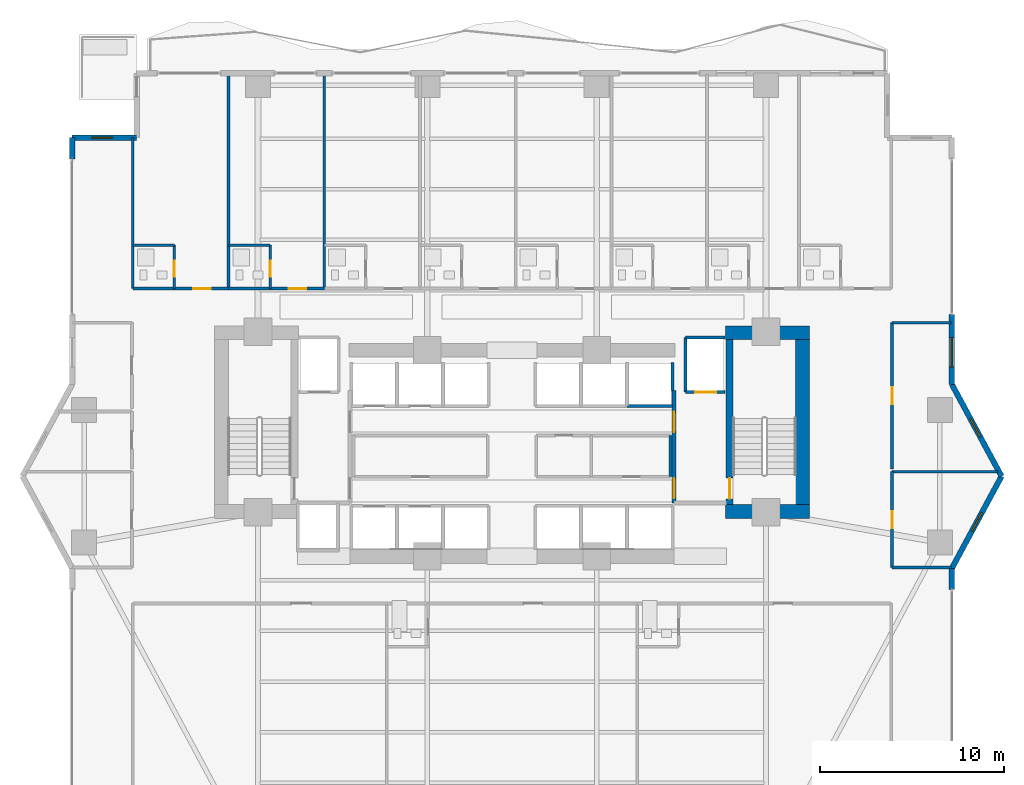
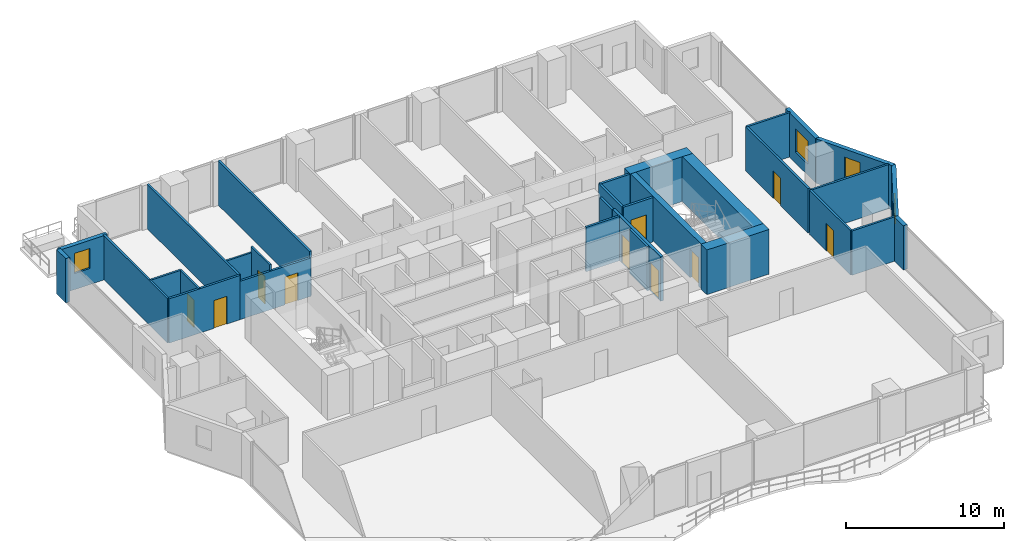
# One storey, part 23 of 29: 31 walls, 10 doors, 4 windows, 14 openings.
"""IFC4 building model written with IfcOpenShell, lengths in metres."""

from ifc_helpers import new_model, si_unit, direction, frame, frame_2d, origin, place, context, subcontext, project, spatial, rectangle, extrude, material, layer, layer_set, type_object, element, fill, save


model = new_model("IFC4")

# Units and contexts
model_context = context("Model", 3, precision=1e-05, world=origin(), true_north=direction((0.0, 1.0)))
body_context = subcontext(model_context, "Body", "Model", "MODEL_VIEW")
ifc_project = project(units=[si_unit("LENGTHUNIT", "METRE"), si_unit("AREAUNIT", "SQUARE_METRE"), si_unit("VOLUMEUNIT", "CUBIC_METRE"), si_unit("PLANEANGLEUNIT", "RADIAN"), si_unit("MASSUNIT", "GRAM", prefix="KILO")], contexts=[model_context])

# Site, building, storey
site_placement = place(None, origin())
site = spatial("IfcSite", under=ifc_project, at=site_placement, CompositionType="ELEMENT")
building_placement = place(site_placement, origin())
building = spatial("IfcBuilding", under=site, at=building_placement, Name="Zuhayl Quay Hotel", CompositionType="ELEMENT")
storey_placement = place(building_placement, frame((0.0, 0.0, 106.60009765625)))
storey = spatial("IfcBuildingStorey", under=building, at=storey_placement, Name="L26", CompositionType="ELEMENT", Elevation=106.60009765625)

# Walls
ifc_material_1 = material(Name="Concrete C60/75", Category="concrete")
ifc_layer_1 = layer(ifc_material_1, 0.75, Name="Concrete C60/75", Category="concrete")
ifc_layer_set_1 = layer_set([ifc_layer_1], Name="Concrete C60/75")
wall_type_1 = type_object("IfcWallType", Name="WL_CORE_750", PredefinedType="SHEAR", material=ifc_layer_set_1)
wall_1_placement = place(storey_placement, frame((11.60009765625, 14.304931640625, 0.0), z_axis=(0.0, 0.0, 1.0), x_axis=(1.0, 0.0, 0.0)))
element("IfcWall", 1, at=wall_1_placement, inside=storey, type_object=wall_type_1, Name="L26 Core Shear Wall CW_NE", PredefinedType="SHEAR", context=body_context, shape_type="SweptSolid", body=[
    extrude(rectangle(XDim=4.559814453125, YDim=0.75, at=frame_2d((2.27978515625, 0.0))), origin(), (0.0, 0.0, 1.0), 3.4599609375),
])
wall_2_placement = place(storey_placement, frame((15.784912109375, 4.969970703125, 0.0), z_axis=(0.0, 0.0, 1.0), x_axis=(0.0, 1.0, 0.0)))
element("IfcWall", 2, at=wall_2_placement, inside=storey, type_object=wall_type_1, Name="L26 Core Shear Wall CW_E", PredefinedType="SHEAR", context=body_context, shape_type="SweptSolid", body=[
    extrude(rectangle(XDim=8.9599609375, YDim=0.75, at=frame_2d((4.47998046875, 0.0))), origin(), (0.0, 0.0, 1.0), 3.4599609375),
])
wall_3_placement = place(storey_placement, frame((11.60009765625, 4.594970703125, 0.0), z_axis=(0.0, 0.0, 1.0), x_axis=(1.0, 0.0, 0.0)))
element("IfcWall", 3, at=wall_3_placement, inside=storey, type_object=wall_type_1, Name="L26 Core Shear Wall CW_SE", PredefinedType="SHEAR", context=body_context, shape_type="SweptSolid", body=[
    extrude(rectangle(XDim=4.559814453125, YDim=0.75, at=frame_2d((2.27978515625, 0.0))), origin(), (0.0, 0.0, 1.0), 3.4599609375),
])
ifc_material_2 = material(Name="Precast concrete C45/55", Category="concrete")
ifc_layer_2 = layer(ifc_material_2, 0.300048828125, Name="Precast concrete C45/55", Category="concrete")
ifc_layer_set_2 = layer_set([ifc_layer_2], Name="Precast concrete C45/55")
wall_type_2 = type_object("IfcWallType", Name="WL_EXT_300", PredefinedType="STANDARD", material=ifc_layer_set_2)
wall_4_placement = place(storey_placement, frame((-23.89990234375, 23.75, 0.0), z_axis=(0.0, 0.0, 1.0), x_axis=(0.0, 1.0, 0.0)))
element("IfcWall", 4, at=wall_4_placement, inside=storey, type_object=wall_type_2, Name="L26 Exterior Precast Wall ENV_L26_E05_EW2", PredefinedType="STANDARD", context=body_context, shape_type="SweptSolid", body=[
    extrude(rectangle(XDim=1.14990234375, YDim=0.300048828125, at=frame_2d((0.574951171875, 0.0))), origin(), (0.0, 0.0, 1.0), 3.429931640625),
])

# Wall, opening, window
wall_5_placement = place(storey_placement, frame((-23.89990234375, 24.89990234375, 0.0), z_axis=(0.0, 0.0, 1.0), x_axis=(1.0, 0.0, 0.0)))
wall_5 = element("IfcWall", 5, at=wall_5_placement, inside=storey, type_object=wall_type_2, Name="L26 Exterior Precast Wall ENV_L26_EW06", PredefinedType="STANDARD", context=body_context, shape_type="SweptSolid", body=[
    extrude(rectangle(XDim=3.5, YDim=0.300048828125, at=frame_2d((1.75, 0.0))), origin(), (0.0, 0.0, 1.0), 3.429931640625),
])
opening_1_placement = place(wall_5_placement, frame((1.06494140625, 0.0, 1.25)))
opening_1 = element("IfcOpeningElement", 6, at=opening_1_placement, cuts=wall_5, Name="Opening W01N", PredefinedType="OPENING", context=body_context, shape_type="SweptSolid", body=[
    extrude(rectangle(XDim=1.14990234375, YDim=1.550048828125, at=frame_2d((0.574951171875, 0.77490234375))), frame((0.0, 0.159912109375, 0.0), z_axis=(0.0, -1.0, 0.0), x_axis=(1.0, 0.0, 0.0)), (0.0, 0.0, 1.0), 0.320068359375),
])
ifc_material_3 = material(Name="Dark Ceramic-Fritted Solar Glass", Category="glass")
window_type_1 = type_object("IfcWindowType", Name="WN_NOTCH_1350", PartitioningType="SINGLE_PANEL", PredefinedType="WINDOW", material=ifc_material_3)
window_1_placement = place(opening_1_placement, origin())
window_1 = element("IfcWindow", 7, at=window_1_placement, inside=storey, type_object=window_type_1, Name="L26 Corner Notch Window 6", OverallHeight=1.550048828125, OverallWidth=1.14990234375, PartitioningType="SINGLE_PANEL", PredefinedType="WINDOW", context=body_context, shape_type="SweptSolid", body=[
    extrude(rectangle(XDim=1.14990234375, YDim=1.550048828125, at=frame_2d((0.574951171875, 0.77490234375))), frame((0.0, 0.030029296875, 0.0), z_axis=(0.0, -1.0, 0.0), x_axis=(1.0, 0.0, 0.0)), (0.0, 0.0, 1.0), 0.06005859375),
])
fill(opening_1, window_1)

wall_6_placement = place(storey_placement, frame((23.89990234375, 15.300048828125, 0.0), z_axis=(0.0, 0.0, 1.0), x_axis=(0.0, -1.0, 0.0)))
wall_6 = element("IfcWall", 8, at=wall_6_placement, inside=storey, type_object=wall_type_2, Name="L26 Exterior Precast Wall ENV_L26_E11_EW2", PredefinedType="STANDARD", context=body_context, shape_type="SweptSolid", body=[
    extrude(rectangle(XDim=3.800048828125, YDim=0.300048828125, at=frame_2d((1.89990234375, 0.0))), origin(), (0.0, 0.0, 1.0), 3.429931640625),
])
opening_2_placement = place(wall_6_placement, frame((1.264892578125, 0.0, 0.85009765625)))
opening_2 = element("IfcOpeningElement", 9, at=opening_2_placement, cuts=wall_6, Name="Opening W01", PredefinedType="OPENING", context=body_context, shape_type="SweptSolid", body=[
    extrude(rectangle(XDim=1.60009765625, YDim=1.800048828125, at=frame_2d((0.800048828125, 0.89990234375))), frame((0.0, 0.159912109375, 0.0), z_axis=(0.0, -1.0, 0.0), x_axis=(1.0, 0.0, 0.0)), (0.0, 0.0, 1.0), 0.320068359375),
])
window_type_2 = type_object("IfcWindowType", Name="WN_OPERABLE_1600", PartitioningType="DOUBLE_PANEL_VERTICAL", PredefinedType="WINDOW", material=ifc_material_3)
window_2_placement = place(opening_2_placement, origin())
window_2 = element("IfcWindow", 10, at=window_2_placement, inside=storey, type_object=window_type_2, Name="L26 Operable Facade Window 2-1", OverallHeight=1.800048828125, OverallWidth=1.60009765625, PartitioningType="SINGLE_PANEL", PredefinedType="WINDOW", context=body_context, shape_type="SweptSolid", body=[
    extrude(rectangle(XDim=1.60009765625, YDim=1.800048828125, at=frame_2d((0.800048828125, 0.89990234375))), frame((0.0, 0.030029296875, 0.0), z_axis=(0.0, -1.0, 0.0), x_axis=(1.0, 0.0, 0.0)), (0.0, 0.0, 1.0), 0.06005859375),
])
fill(opening_2, window_2)

wall_7_placement = place(storey_placement, frame((23.89990234375, 11.5, 0.0), z_axis=(0.0, 0.0, 1.0), x_axis=(0.475175525499, -0.879891027325, 0.0)))
wall_7 = element("IfcWall", 11, at=wall_7_placement, inside=storey, type_object=wall_type_2, Name="L26 Exterior Precast Wall ENV_L26_EW12", PredefinedType="STANDARD", context=body_context, shape_type="SweptSolid", body=[
    extrude(rectangle(XDim=5.6826171875, YDim=0.300048828125, at=frame_2d((2.84130859375, 0.0))), origin(), (0.0, 0.0, 1.0), 3.429931640625),
])
opening_3_placement = place(wall_7_placement, frame((2.099853515625, 0.0, 1.25)))
opening_3 = element("IfcOpeningElement", 12, at=opening_3_placement, cuts=wall_7, Name="Opening W01N", PredefinedType="OPENING", context=body_context, shape_type="SweptSolid", body=[
    extrude(rectangle(XDim=1.14990234375, YDim=1.550048828125, at=frame_2d((0.574951171875, 0.77490234375))), frame((0.0, 0.159912109375, 0.0), z_axis=(0.0, -1.0, 0.0), x_axis=(1.0, 0.0, 0.0)), (0.0, 0.0, 1.0), 0.320068359375),
])
window_3_placement = place(opening_3_placement, origin())
window_3 = element("IfcWindow", 13, at=window_3_placement, inside=storey, type_object=window_type_1, Name="L26 Corner Notch Window 12", OverallHeight=1.550048828125, OverallWidth=1.14990234375, PartitioningType="SINGLE_PANEL", PredefinedType="WINDOW", context=body_context, shape_type="SweptSolid", body=[
    extrude(rectangle(XDim=1.14990234375, YDim=1.550048828125, at=frame_2d((0.574951171875, 0.77490234375))), frame((0.0, 0.030029296875, 0.0), z_axis=(0.0, -1.0, 0.0), x_axis=(1.0, 0.0, 0.0)), (0.0, 0.0, 1.0), 0.06005859375),
])
fill(opening_3, window_3)

wall_8_placement = place(storey_placement, frame((26.60009765625, 6.5, 0.0), z_axis=(0.0, 0.0, 1.0), x_axis=(-0.475175525499, -0.879891027325, 0.0)))
wall_8 = element("IfcWall", 14, at=wall_8_placement, inside=storey, type_object=wall_type_2, Name="L26 Exterior Precast Wall ENV_L26_EW13", PredefinedType="STANDARD", context=body_context, shape_type="SweptSolid", body=[
    extrude(rectangle(XDim=5.6826171875, YDim=0.300048828125, at=frame_2d((2.84130859375, 0.0))), origin(), (0.0, 0.0, 1.0), 3.429931640625),
])
opening_4_placement = place(wall_8_placement, frame((2.2421875, 0.0, 1.25)))
opening_4 = element("IfcOpeningElement", 15, at=opening_4_placement, cuts=wall_8, Name="Opening W01N", PredefinedType="OPENING", context=body_context, shape_type="SweptSolid", body=[
    extrude(rectangle(XDim=1.14990234375, YDim=1.550048828125, at=frame_2d((0.574951171875, 0.77490234375))), frame((0.0, 0.159912109375, 0.0), z_axis=(0.0, -1.0, 0.0), x_axis=(1.0, 0.0, 0.0)), (0.0, 0.0, 1.0), 0.320068359375),
])
window_4_placement = place(opening_4_placement, origin())
window_4 = element("IfcWindow", 16, at=window_4_placement, inside=storey, type_object=window_type_1, Name="L26 Corner Notch Window 13", OverallHeight=1.550048828125, OverallWidth=1.14990234375, PartitioningType="SINGLE_PANEL", PredefinedType="WINDOW", context=body_context, shape_type="SweptSolid", body=[
    extrude(rectangle(XDim=1.14990234375, YDim=1.550048828125, at=frame_2d((0.574951171875, 0.77490234375))), frame((0.0, 0.030029296875, 0.0), z_axis=(0.0, -1.0, 0.0), x_axis=(1.0, 0.0, 0.0)), (0.0, 0.0, 1.0), 0.06005859375),
])
fill(opening_4, window_4)

# Walls
wall_9_placement = place(storey_placement, frame((23.89990234375, 1.5, 0.0), z_axis=(0.0, 0.0, 1.0), x_axis=(0.0, -1.0, 0.0)))
element("IfcWall", 17, at=wall_9_placement, inside=storey, type_object=wall_type_2, Name="L26 Exterior Precast Wall ENV_L26_E14_EW1", PredefinedType="STANDARD", context=body_context, shape_type="SweptSolid", body=[
    extrude(rectangle(XDim=1.14990234375, YDim=0.300048828125, at=frame_2d((0.574951171875, 0.0))), origin(), (0.0, 0.0, 1.0), 3.429931640625),
])
ifc_material_4 = material(Name="Acoustic Gypsum Partition STC-58")
ifc_layer_3 = layer(ifc_material_4, 0.14990234375, Name="Acoustic Gypsum Partition STC-58")
ifc_layer_set_3 = layer_set([ifc_layer_3], Name="Acoustic Gypsum Partition STC-58")
wall_type_3 = type_object("IfcWallType", Name="WL_PART_150", PredefinedType="PARTITIONING", material=ifc_layer_set_3)
wall_10_placement = place(storey_placement, frame((8.610107421875, 6.47998046875, 0.0), z_axis=(0.0, 0.0, 1.0), x_axis=(0.0, 1.0, 0.0)))
element("IfcWall", 18, at=wall_10_placement, inside=storey, type_object=wall_type_3, Name="L26 Partition IW_L26_CORE_LN_E", PredefinedType="PARTITIONING", context=body_context, shape_type="SweptSolid", body=[
    extrude(rectangle(XDim=2.239990234375, YDim=0.14990234375, at=frame_2d((1.1201171875, 0.0))), origin(), (0.0, 0.0, 1.0), 3.429931640625),
])
wall_11_placement = place(storey_placement, frame((-20.60009765625, 16.699951171875, 0.0), z_axis=(0.0, 0.0, 1.0), x_axis=(0.0, 1.0, 0.0)))
element("IfcWall", 19, at=wall_11_placement, inside=storey, type_object=wall_type_3, Name="L26 Partition IW_L26_NU01_W", PredefinedType="PARTITIONING", context=body_context, shape_type="SweptSolid", body=[
    extrude(rectangle(XDim=8.199951171875, YDim=0.14990234375, at=frame_2d((4.10009765625, 0.0))), origin(), (0.0, 0.0, 1.0), 3.429931640625),
])
for number, where, z_axis, x_axis, name in (
    (20, (-15.39990234375, 16.699951171875, 0.0), (0.0, 0.0, 1.0), (0.0, 1.0, 0.0), "L26 Partition IW_L26_NU01_E"),
    (21, (-10.199951171875, 16.699951171875, 0.0), (0.0, 0.0, 1.0), (0.0, 1.0, 0.0), "L26 Partition IW_L26_NU02_E"),
):
    element("IfcWall", number, at=place(storey_placement, frame(where, z_axis=z_axis, x_axis=x_axis)), inside=storey, type_object=wall_type_3, Name=name, PredefinedType="PARTITIONING", context=body_context, shape_type="SweptSolid", body=[
        extrude(rectangle(XDim=11.6201171875, YDim=0.14990234375, at=frame_2d((5.81005859375, 0.0))), origin(), (0.0, 0.0, 1.0), 3.429931640625),
    ])
wall_12_placement = place(storey_placement, frame((20.64990234375, 1.550048828125, 0.0), z_axis=(0.0, 0.0, 1.0), x_axis=(1.0, 0.0, 0.0)))
element("IfcWall", 22, at=wall_12_placement, inside=storey, type_object=wall_type_3, Name="L26 Partition IW_L26_HK_MAIN_S", PredefinedType="PARTITIONING", context=body_context, shape_type="SweptSolid", body=[
    extrude(rectangle(XDim=3.217041015625, YDim=0.14990234375, at=frame_2d((1.6083984375, 0.0))), origin(), (0.0, 0.0, 1.0), 3.429931640625),
])
wall_13_placement = place(storey_placement, frame((20.64990234375, 6.75, 0.0), z_axis=(0.0, 0.0, 1.0), x_axis=(1.0, 0.0, 0.0)))
element("IfcWall", 23, at=wall_13_placement, inside=storey, type_object=wall_type_3, Name="L26 Partition IW_L26_HK_MAIN_N", PredefinedType="PARTITIONING", context=body_context, shape_type="SweptSolid", body=[
    extrude(rectangle(XDim=5.755126953125, YDim=0.14990234375, at=frame_2d((2.87744140625, 0.0))), origin(), (0.0, 0.0, 1.0), 3.429931640625),
])
wall_14_placement = place(storey_placement, frame((20.64990234375, 14.85009765625, 0.0), z_axis=(0.0, 0.0, 1.0), x_axis=(1.0, 0.0, 0.0)))
element("IfcWall", 24, at=wall_14_placement, inside=storey, type_object=wall_type_3, Name="L26 Partition IW_L26_EFLK_2_N", PredefinedType="PARTITIONING", context=body_context, shape_type="SweptSolid", body=[
    extrude(rectangle(XDim=3.190185546875, YDim=0.14990234375, at=frame_2d((1.59521484375, 0.0))), origin(), (0.0, 0.0, 1.0), 3.429931640625),
])

# Wall, opening, door
ifc_layer_4 = layer(ifc_material_4, 0.159912109375, Name="Acoustic Gypsum Partition STC-58")
ifc_layer_set_4 = layer_set([ifc_layer_4], Name="Acoustic Gypsum Partition STC-58")
wall_type_4 = type_object("IfcWallType", Name="WL_PART_CORR_160", PredefinedType="PARTITIONING", material=ifc_layer_set_4)
wall_15_placement = place(storey_placement, frame((-20.60009765625, 16.699951171875, 0.0), z_axis=(0.0, 0.0, 1.0), x_axis=(1.0, 0.0, 0.0)))
wall_15 = element("IfcWall", 25, at=wall_15_placement, inside=storey, type_object=wall_type_4, Name="L26 Partition IW_L26_NU01_COR", PredefinedType="PARTITIONING", context=body_context, shape_type="SweptSolid", body=[
    extrude(rectangle(XDim=5.2001953125, YDim=0.159912109375, at=frame_2d((2.60009765625, 0.0))), origin(), (0.0, 0.0, 1.0), 3.429931640625),
])
opening_5_placement = place(wall_15_placement, frame((3.27490234375, 0.0, 0.0)))
opening_5 = element("IfcOpeningElement", 26, at=opening_5_placement, cuts=wall_15, Name="Opening D03", PredefinedType="OPENING", context=body_context, shape_type="SweptSolid", body=[
    extrude(rectangle(XDim=0.949951171875, YDim=2.14990234375, at=frame_2d((0.47509765625, 1.074951171875))), frame((0.0, 0.08984375, 0.0), z_axis=(0.0, -1.0, 0.0), x_axis=(1.0, 0.0, 0.0)), (0.0, 0.0, 1.0), 0.179931640625),
])
ifc_material_5 = material(Name="Solid Walnut Acoustic Fire Door")
door_type_1 = type_object("IfcDoorType", Name="DR_SUITE_950", OperationType="NOTDEFINED", PredefinedType="DOOR", material=ifc_material_5)
door_1_placement = place(opening_5_placement, origin())
door_1 = element("IfcDoor", 27, at=door_1_placement, inside=storey, type_object=door_type_1, Name="L26 Deluxe Gulf Guest Room L26-01 Entrance Door", OperationType="SINGLE_SWING_LEFT", OverallHeight=2.14990234375, OverallWidth=0.949951171875, PredefinedType="DOOR", context=body_context, shape_type="SweptSolid", body=[
    extrude(rectangle(XDim=0.949951171875, YDim=2.14990234375, at=frame_2d((0.47509765625, 1.074951171875))), frame((0.0, 0.02490234375, 0.0), z_axis=(0.0, -1.0, 0.0), x_axis=(1.0, 0.0, 0.0)), (0.0, 0.0, 1.0), 0.050048828125),
])
fill(opening_5, door_1)

wall_16_placement = place(storey_placement, frame((-15.39990234375, 16.699951171875, 0.0), z_axis=(0.0, 0.0, 1.0), x_axis=(1.0, 0.0, 0.0)))
wall_16 = element("IfcWall", 28, at=wall_16_placement, inside=storey, type_object=wall_type_4, Name="L26 Partition IW_L26_NU02_COR", PredefinedType="PARTITIONING", context=body_context, shape_type="SweptSolid", body=[
    extrude(rectangle(XDim=5.199951171875, YDim=0.159912109375, at=frame_2d((2.60009765625, 0.0))), origin(), (0.0, 0.0, 1.0), 2.972900390625),
])
opening_6_placement = place(wall_16_placement, frame((3.27490234375, 0.0, 0.0)))
opening_6 = element("IfcOpeningElement", 29, at=opening_6_placement, cuts=wall_16, Name="Opening D03", PredefinedType="OPENING", context=body_context, shape_type="SweptSolid", body=[
    extrude(rectangle(XDim=0.949951171875, YDim=2.14990234375, at=frame_2d((0.47509765625, 1.074951171875))), frame((0.0, 0.08984375, 0.0), z_axis=(0.0, -1.0, 0.0), x_axis=(1.0, 0.0, 0.0)), (0.0, 0.0, 1.0), 0.179931640625),
])
door_2_placement = place(opening_6_placement, origin())
door_2 = element("IfcDoor", 30, at=door_2_placement, inside=storey, type_object=door_type_1, Name="L26 Deluxe Gulf Guest Room L26-02 Entrance Door", OperationType="SINGLE_SWING_LEFT", OverallHeight=2.14990234375, OverallWidth=0.949951171875, PredefinedType="DOOR", context=body_context, shape_type="SweptSolid", body=[
    extrude(rectangle(XDim=0.949951171875, YDim=2.14990234375, at=frame_2d((0.47509765625, 1.074951171875))), frame((0.0, 0.02490234375, 0.0), z_axis=(0.0, -1.0, 0.0), x_axis=(1.0, 0.0, 0.0)), (0.0, 0.0, 1.0), 0.050048828125),
])
fill(opening_6, door_2)

wall_17_placement = place(storey_placement, frame((20.64990234375, 1.550048828125, 0.0), z_axis=(0.0, 0.0, 1.0), x_axis=(0.0, 1.0, 0.0)))
wall_17 = element("IfcWall", 31, at=wall_17_placement, inside=storey, type_object=wall_type_4, Name="L26 Partition IW_L26_HK_MAIN_W", PredefinedType="PARTITIONING", context=body_context, shape_type="SweptSolid", body=[
    extrude(rectangle(XDim=5.199951171875, YDim=0.159912109375, at=frame_2d((2.60009765625, 0.0))), origin(), (0.0, 0.0, 1.0), 3.429931640625),
])
opening_7_placement = place(wall_17_placement, frame((2.139892578125, 0.0, 0.0)))
opening_7 = element("IfcOpeningElement", 32, at=opening_7_placement, cuts=wall_17, Name="Opening D05", PredefinedType="OPENING", context=body_context, shape_type="SweptSolid", body=[
    extrude(rectangle(XDim=0.919921875, YDim=2.1201171875, at=frame_2d((0.4599609375, 1.06005859375))), frame((0.0, 0.08984375, 0.0), z_axis=(0.0, -1.0, 0.0), x_axis=(1.0, 0.0, 0.0)), (0.0, 0.0, 1.0), 0.179931640625),
])
door_type_2 = type_object("IfcDoorType", Name="DR_INT_950", OperationType="NOTDEFINED", PredefinedType="DOOR", material=ifc_material_5)
door_3_placement = place(opening_7_placement, origin())
door_3 = element("IfcDoor", 33, at=door_3_placement, inside=storey, type_object=door_type_2, Name="L26 Housekeeping and Linen Room Door", OperationType="SINGLE_SWING_LEFT", OverallHeight=2.1201171875, OverallWidth=0.919921875, PredefinedType="DOOR", context=body_context, shape_type="SweptSolid", body=[
    extrude(rectangle(XDim=0.919921875, YDim=2.1201171875, at=frame_2d((0.4599609375, 1.06005859375))), frame((0.0, 0.02490234375, 0.0), z_axis=(0.0, -1.0, 0.0), x_axis=(1.0, 0.0, 0.0)), (0.0, 0.0, 1.0), 0.050048828125),
])
fill(opening_7, door_3)

wall_18_placement = place(storey_placement, frame((20.64990234375, 6.909912109375, 0.0), z_axis=(0.0, 0.0, 1.0), x_axis=(0.0, 1.0, 0.0)))
wall_18 = element("IfcWall", 34, at=wall_18_placement, inside=storey, type_object=wall_type_4, Name="L26 Partition IW_L26_EFLK_2_W", PredefinedType="PARTITIONING", context=body_context, shape_type="SweptSolid", body=[
    extrude(rectangle(XDim=7.940185546875, YDim=0.159912109375, at=frame_2d((3.97021484375, 0.0))), origin(), (0.0, 0.0, 1.0), 3.429931640625),
])
opening_8_placement = place(wall_18_placement, frame((3.510009765625, 0.0, 0.0)))
opening_8 = element("IfcOpeningElement", 35, at=opening_8_placement, cuts=wall_18, Name="Opening D05", PredefinedType="OPENING", context=body_context, shape_type="SweptSolid", body=[
    extrude(rectangle(XDim=0.919921875, YDim=2.1201171875, at=frame_2d((0.4599609375, 1.06005859375))), frame((0.0, 0.08984375, 0.0), z_axis=(0.0, -1.0, 0.0), x_axis=(1.0, 0.0, 0.0)), (0.0, 0.0, 1.0), 0.179931640625),
])
door_4_placement = place(opening_8_placement, origin())
door_4 = element("IfcDoor", 36, at=door_4_placement, inside=storey, type_object=door_type_2, Name="L26 East Prow Reading Lounge L26 Door", OperationType="SINGLE_SWING_RIGHT", OverallHeight=2.1201171875, OverallWidth=0.919921875, PredefinedType="DOOR", context=body_context, shape_type="SweptSolid", body=[
    extrude(rectangle(XDim=0.919921875, YDim=2.1201171875, at=frame_2d((0.4599609375, 1.06005859375))), frame((0.0, 0.02490234375, 0.0), z_axis=(0.0, -1.0, 0.0), x_axis=(1.0, 0.0, 0.0)), (0.0, 0.0, 1.0), 0.050048828125),
])
fill(opening_8, door_4)

ifc_material_6 = material(Name="Moisture-Resistant Sanitarychase Gypsum")
ifc_layer_5 = layer(ifc_material_6, 0.135009765625, Name="Moisture-Resistant Sanitarychase Gypsum")
ifc_layer_set_5 = layer_set([ifc_layer_5], Name="Moisture-Resistant Sanitarychase Gypsum")
wall_type_5 = type_object("IfcWallType", Name="WL_PART_PLUMB_150", PredefinedType="PLUMBINGWALL", material=ifc_layer_set_5)
wall_19_placement = place(storey_placement, frame((-18.340087890625, 16.699951171875, 0.0), z_axis=(0.0, 0.0, 1.0), x_axis=(0.0, 1.0, 0.0)))
wall_19 = element("IfcWall", 37, at=wall_19_placement, inside=storey, type_object=wall_type_5, Name="L26 Partition IW_L26_NU01_BE", PredefinedType="PLUMBINGWALL", context=body_context, shape_type="SweptSolid", body=[
    extrude(rectangle(XDim=2.360107421875, YDim=0.135009765625, at=frame_2d((1.18017578125, 0.0))), origin(), (0.0, 0.0, 1.0), 3.429931640625),
])
opening_9_placement = place(wall_19_placement, frame((0.64990234375, 0.0, 0.0)))
opening_9 = element("IfcOpeningElement", 38, at=opening_9_placement, cuts=wall_19, Name="Opening D04", PredefinedType="OPENING", context=body_context, shape_type="SweptSolid", body=[
    extrude(rectangle(XDim=0.85009765625, YDim=2.10009765625, at=frame_2d((0.425048828125, 1.050048828125))), frame((0.0, 0.077392578125, 0.0), z_axis=(0.0, -1.0, 0.0), x_axis=(1.0, 0.0, 0.0)), (0.0, 0.0, 1.0), 0.155029296875),
])
ifc_material_7 = material(Name="Moisture-Resistant Walnut Veneer")
door_type_3 = type_object("IfcDoorType", Name="DR_BATH_850", OperationType="NOTDEFINED", PredefinedType="DOOR", material=ifc_material_7)
door_5_placement = place(opening_9_placement, origin())
door_5 = element("IfcDoor", 39, at=door_5_placement, inside=storey, type_object=door_type_3, Name="L26 Deluxe Gulf Guest Room L26-01 En-Suite Door", OperationType="SINGLE_SWING_RIGHT", OverallHeight=2.10009765625, OverallWidth=0.85009765625, PredefinedType="DOOR", context=body_context, shape_type="SweptSolid", body=[
    extrude(rectangle(XDim=0.85009765625, YDim=2.10009765625, at=frame_2d((0.425048828125, 1.050048828125))), frame((0.0, 0.02490234375, 0.0), z_axis=(0.0, -1.0, 0.0), x_axis=(1.0, 0.0, 0.0)), (0.0, 0.0, 1.0), 0.050048828125),
])
fill(opening_9, door_5)

wall_20_placement = place(storey_placement, frame((-13.139892578125, 16.699951171875, 0.0), z_axis=(0.0, 0.0, 1.0), x_axis=(0.0, 1.0, 0.0)))
wall_20 = element("IfcWall", 40, at=wall_20_placement, inside=storey, type_object=wall_type_5, Name="L26 Partition IW_L26_NU02_BE", PredefinedType="PLUMBINGWALL", context=body_context, shape_type="SweptSolid", body=[
    extrude(rectangle(XDim=2.360107421875, YDim=0.135009765625, at=frame_2d((1.18017578125, 0.0))), origin(), (0.0, 0.0, 1.0), 3.429931640625),
])
opening_10_placement = place(wall_20_placement, frame((0.64990234375, 0.0, 0.0)))
opening_10 = element("IfcOpeningElement", 41, at=opening_10_placement, cuts=wall_20, Name="Opening D04", PredefinedType="OPENING", context=body_context, shape_type="SweptSolid", body=[
    extrude(rectangle(XDim=0.85009765625, YDim=2.10009765625, at=frame_2d((0.425048828125, 1.050048828125))), frame((0.0, 0.077392578125, 0.0), z_axis=(0.0, -1.0, 0.0), x_axis=(1.0, 0.0, 0.0)), (0.0, 0.0, 1.0), 0.155029296875),
])
door_6_placement = place(opening_10_placement, origin())
door_6 = element("IfcDoor", 42, at=door_6_placement, inside=storey, type_object=door_type_3, Name="L26 Deluxe Gulf Guest Room L26-02 En-Suite Door", OperationType="SINGLE_SWING_RIGHT", OverallHeight=2.10009765625, OverallWidth=0.85009765625, PredefinedType="DOOR", context=body_context, shape_type="SweptSolid", body=[
    extrude(rectangle(XDim=0.85009765625, YDim=2.10009765625, at=frame_2d((0.425048828125, 1.050048828125))), frame((0.0, 0.02490234375, 0.0), z_axis=(0.0, -1.0, 0.0), x_axis=(1.0, 0.0, 0.0)), (0.0, 0.0, 1.0), 0.050048828125),
])
fill(opening_10, door_6)

# Walls
wall_21_placement = place(storey_placement, frame((-20.60009765625, 19.06005859375, 0.0), z_axis=(0.0, 0.0, 1.0), x_axis=(1.0, 0.0, 0.0)))
element("IfcWall", 43, at=wall_21_placement, inside=storey, type_object=wall_type_5, Name="L26 Partition IW_L26_NU01_BN", PredefinedType="PLUMBINGWALL", context=body_context, shape_type="SweptSolid", body=[
    extrude(rectangle(XDim=2.260009765625, YDim=0.135009765625, at=frame_2d((1.1298828125, 0.0))), origin(), (0.0, 0.0, 1.0), 3.429931640625),
])
wall_22_placement = place(storey_placement, frame((-15.39990234375, 19.06005859375, 0.0), z_axis=(0.0, 0.0, 1.0), x_axis=(1.0, 0.0, 0.0)))
element("IfcWall", 44, at=wall_22_placement, inside=storey, type_object=wall_type_5, Name="L26 Partition IW_L26_NU02_BN", PredefinedType="PLUMBINGWALL", context=body_context, shape_type="SweptSolid", body=[
    extrude(rectangle(XDim=2.260009765625, YDim=0.135009765625, at=frame_2d((1.1298828125, 0.0))), origin(), (0.0, 0.0, 1.0), 2.972900390625),
])

# Wall, opening, door
ifc_material_8 = material(Name="Gypsum Fireboard Assembly EI-90")
ifc_layer_6 = layer(ifc_material_8, 0.1650390625, Name="Gypsum Fireboard Assembly EI-90")
ifc_layer_set_6 = layer_set([ifc_layer_6], Name="Gypsum Fireboard Assembly EI-90")
wall_type_6 = type_object("IfcWallType", Name="WL_PART_SHAFT_160", PredefinedType="PARTITIONING", material=ifc_layer_set_6)
wall_23_placement = place(storey_placement, frame((9.419921875, 11.070068359375, 0.0), z_axis=(0.0, 0.0, 1.0), x_axis=(1.0, 0.0, 0.0)))
wall_23 = element("IfcWall", 45, at=wall_23_placement, inside=storey, type_object=wall_type_6, Name="L26 Partition IW_L26_SH_FL2_F", PredefinedType="PARTITIONING", context=body_context, shape_type="SweptSolid", body=[
    extrude(rectangle(XDim=2.16015625, YDim=0.1650390625, at=frame_2d((1.080078125, 0.0))), origin(), (0.0, 0.0, 1.0), 3.429931640625),
])
opening_11_placement = place(wall_23_placement, frame((0.530029296875, 0.0, 0.0)))
opening_11 = element("IfcOpeningElement", 46, at=opening_11_placement, cuts=wall_23, Name="Opening LD2", PredefinedType="OPENING", context=body_context, shape_type="SweptSolid", body=[
    extrude(rectangle(XDim=1.14990234375, YDim=2.25, at=frame_2d((0.574951171875, 1.125))), frame((0.0, 0.092529296875, 0.0), z_axis=(0.0, -1.0, 0.0), x_axis=(1.0, 0.0, 0.0)), (0.0, 0.0, 1.0), 0.18505859375),
])
ifc_material_9 = material(Name="Brushed Stainless Steel", Category="steel")
door_type_4 = type_object("IfcDoorType", Name="DR_LIFT_FF_1100", OperationType="SLIDING_TO_LEFT", PredefinedType="DOOR", material=ifc_material_9)
door_7_placement = place(opening_11_placement, origin())
door_7 = element("IfcDoor", 47, at=door_7_placement, inside=storey, type_object=door_type_4, Name="L26 Lift FL2 Sliding Landing Door", OperationType="SLIDING_TO_LEFT", OverallHeight=2.25, OverallWidth=1.14990234375, PredefinedType="DOOR", context=body_context, shape_type="SweptSolid", body=[
    extrude(rectangle(XDim=1.14990234375, YDim=2.25, at=frame_2d((0.574951171875, 1.125))), frame((0.0, 0.02490234375, 0.0), z_axis=(0.0, -1.0, 0.0), x_axis=(1.0, 0.0, 0.0)), (0.0, 0.0, 1.0), 0.050048828125),
])
fill(opening_11, door_7)

# Walls
wall_24_placement = place(storey_placement, frame((9.419921875, 11.070068359375, 0.0), z_axis=(0.0, 0.0, 1.0), x_axis=(0.0, 1.0, 0.0)))
element("IfcWall", 48, at=wall_24_placement, inside=storey, type_object=wall_type_6, Name="L26 Partition IW_L26_SH_FL2_W", PredefinedType="PARTITIONING", context=body_context, shape_type="SweptSolid", body=[
    extrude(rectangle(XDim=2.9599609375, YDim=0.1650390625, at=frame_2d((1.47998046875, 0.0))), origin(), (0.0, 0.0, 1.0), 3.429931640625),
])
wall_25_placement = place(storey_placement, frame((9.419921875, 14.030029296875, 0.0), z_axis=(0.0, 0.0, 1.0), x_axis=(1.0, 0.0, 0.0)))
element("IfcWall", 49, at=wall_25_placement, inside=storey, type_object=wall_type_6, Name="L26 Partition IW_L26_SH_FL2_B", PredefinedType="PARTITIONING", context=body_context, shape_type="SweptSolid", body=[
    extrude(rectangle(XDim=2.16015625, YDim=0.1650390625, at=frame_2d((1.080078125, 0.0))), origin(), (0.0, 0.0, 1.0), 3.429931640625),
])
wall_26_placement = place(storey_placement, frame((6.25, 10.320068359375, 0.0), z_axis=(0.0, 0.0, 1.0), x_axis=(1.0, 0.0, 0.0)))
element("IfcWall", 50, at=wall_26_placement, inside=storey, type_object=wall_type_6, Name="L26 Partition IW_L26_SH_HP4_F", PredefinedType="PARTITIONING", context=body_context, shape_type="SweptSolid", body=[
    extrude(rectangle(XDim=2.47998046875, YDim=0.1650390625, at=frame_2d((1.239990234375, 0.0))), origin(), (0.0, 0.0, 1.0), 3.429931640625),
])
wall_27_placement = place(storey_placement, frame((8.72998046875, 11.14990234375, 0.0), z_axis=(0.0, 0.0, 1.0), x_axis=(0.0, 1.0, 0.0)))
element("IfcWall", 51, at=wall_27_placement, inside=storey, type_object=wall_type_6, Name="L26 Partition IW_L26_SH_HP4_E", PredefinedType="PARTITIONING", context=body_context, shape_type="SweptSolid", body=[
    extrude(rectangle(XDim=1.530029296875, YDim=0.1650390625, at=frame_2d((0.76513671875, 0.0))), origin(), (0.0, 0.0, 1.0), 3.429931640625),
])

# Wall, openings, doors
ifc_material_10 = material(Name="Gypsum Fireboard Assembly EI-120")
ifc_layer_7 = layer(ifc_material_10, 0.199951171875, Name="Gypsum Fireboard Assembly EI-120")
ifc_layer_set_7 = layer_set([ifc_layer_7], Name="Gypsum Fireboard Assembly EI-120")
wall_type_7 = type_object("IfcWallType", Name="WL_PART_SHAFT_200", PredefinedType="PARTITIONING", material=ifc_layer_set_7)
wall_28_placement = place(storey_placement, frame((8.800048828125, 11.14990234375, 0.0), z_axis=(0.0, 0.0, 1.0), x_axis=(0.0, -1.0, 0.0)))
wall_28 = element("IfcWall", 52, at=wall_28_placement, inside=storey, type_object=wall_type_7, Name="L26 Partition IW_L26_FSAE_E_W", PredefinedType="PARTITIONING", context=body_context, shape_type="SweptSolid", body=[
    extrude(rectangle(XDim=6.099853515625, YDim=0.199951171875, at=frame_2d((3.0498046875, 0.0))), origin(), (0.0, 0.0, 1.0), 3.429931640625),
])
opening_12_placement = place(wall_28_placement, frame((1.14990234375, 0.0, 0.0)))
opening_12 = element("IfcOpeningElement", 53, at=opening_12_placement, cuts=wall_28, Name="Opening D02", PredefinedType="OPENING", context=body_context, shape_type="SweptSolid", body=[
    extrude(rectangle(XDim=1.10009765625, YDim=2.199951171875, at=frame_2d((0.550048828125, 1.10009765625))), frame((0.0, 0.10986328125, 0.0), z_axis=(0.0, -1.0, 0.0), x_axis=(1.0, 0.0, 0.0)), (0.0, 0.0, 1.0), 0.219970703125),
])
opening_13_placement = place(wall_28_placement, frame((4.75, 0.0, 0.0)))
opening_13 = element("IfcOpeningElement", 54, at=opening_13_placement, cuts=wall_28, Name="Opening D02", PredefinedType="OPENING", context=body_context, shape_type="SweptSolid", body=[
    extrude(rectangle(XDim=1.10009765625, YDim=2.199951171875, at=frame_2d((0.550048828125, 1.10009765625))), frame((0.0, 0.10986328125, 0.0), z_axis=(0.0, -1.0, 0.0), x_axis=(1.0, 0.0, 0.0)), (0.0, 0.0, 1.0), 0.219970703125),
])
ifc_material_11 = material(Name="Steel ASTM A992 Grade 50", Category="steel")
door_type_5 = type_object("IfcDoorType", Name="DR_FIRE_90_1100", OperationType="NOTDEFINED", PredefinedType="DOOR", material=ifc_material_11)
door_8_placement = place(opening_12_placement, origin())
door_8 = element("IfcDoor", 55, at=door_8_placement, inside=storey, type_object=door_type_5, Name="L26 FSAE Lobby East North Entry Door", OperationType="SINGLE_SWING_LEFT", OverallHeight=2.199951171875, OverallWidth=1.10009765625, PredefinedType="DOOR", context=body_context, shape_type="SweptSolid", body=[
    extrude(rectangle(XDim=1.10009765625, YDim=2.199951171875, at=frame_2d((0.550048828125, 1.10009765625))), frame((0.0, 0.02490234375, 0.0), z_axis=(0.0, -1.0, 0.0), x_axis=(1.0, 0.0, 0.0)), (0.0, 0.0, 1.0), 0.050048828125),
])
fill(opening_12, door_8)
door_9_placement = place(opening_13_placement, origin())
door_9 = element("IfcDoor", 56, at=door_9_placement, inside=storey, type_object=door_type_5, Name="L26 FSAE Lobby East South Entry Door", OperationType="SINGLE_SWING_RIGHT", OverallHeight=2.199951171875, OverallWidth=1.10009765625, PredefinedType="DOOR", context=body_context, shape_type="SweptSolid", body=[
    extrude(rectangle(XDim=1.10009765625, YDim=2.199951171875, at=frame_2d((0.550048828125, 1.10009765625))), frame((0.0, 0.02490234375, 0.0), z_axis=(0.0, -1.0, 0.0), x_axis=(1.0, 0.0, 0.0)), (0.0, 0.0, 1.0), 0.050048828125),
])
fill(opening_13, door_9)

# Wall, opening, door
ifc_layer_8 = layer(ifc_material_1, 0.39990234375, Name="Concrete C60/75", Category="concrete")
ifc_layer_set_8 = layer_set([ifc_layer_8], Name="Concrete C60/75")
wall_type_8 = type_object("IfcWallType", Name="WL_STAIR_400", PredefinedType="SHEAR", material=ifc_layer_set_8)
wall_29_placement = place(storey_placement, frame((11.820068359375, 13.929931640625, 0.0), z_axis=(0.0, 0.0, 1.0), x_axis=(0.0, -1.0, 0.0)))
wall_29 = element("IfcWall", 57, at=wall_29_placement, inside=storey, type_object=wall_type_8, Name="L26 Core Shear Wall SW_ST2", PredefinedType="SHEAR", context=body_context, shape_type="SweptSolid", body=[
    extrude(rectangle(XDim=8.9599609375, YDim=0.39990234375, at=frame_2d((4.47998046875, 0.0))), origin(), (0.0, 0.0, 1.0), 3.4599609375),
])
opening_14_placement = place(wall_29_placement, frame((7.530029296875, 0.0, 0.0)))
opening_14 = element("IfcOpeningElement", 58, at=opening_14_placement, cuts=wall_29, Name="Opening D01", PredefinedType="OPENING", context=body_context, shape_type="SweptSolid", body=[
    extrude(rectangle(XDim=1.1201171875, YDim=2.219970703125, at=frame_2d((0.56005859375, 1.10986328125))), frame((0.0, 0.2099609375, 0.0), z_axis=(0.0, -1.0, 0.0), x_axis=(1.0, 0.0, 0.0)), (0.0, 0.0, 1.0), 0.419921875),
])
door_type_6 = type_object("IfcDoorType", Name="DR_STAIR_90_1100", OperationType="NOTDEFINED", PredefinedType="DOOR", material=ifc_material_11)
door_10_placement = place(opening_14_placement, origin())
door_10 = element("IfcDoor", 59, at=door_10_placement, inside=storey, type_object=door_type_6, Name="L26 Smokeproof Exit Stair ST2 Door", OperationType="SINGLE_SWING_RIGHT", OverallHeight=2.219970703125, OverallWidth=1.1201171875, PredefinedType="DOOR", context=body_context, shape_type="SweptSolid", body=[
    extrude(rectangle(XDim=1.1201171875, YDim=2.219970703125, at=frame_2d((0.56005859375, 1.10986328125))), frame((0.0, 0.02490234375, 0.0), z_axis=(0.0, -1.0, 0.0), x_axis=(1.0, 0.0, 0.0)), (0.0, 0.0, 1.0), 0.050048828125),
])
fill(opening_14, door_10)

save(model, "model.ifc")
